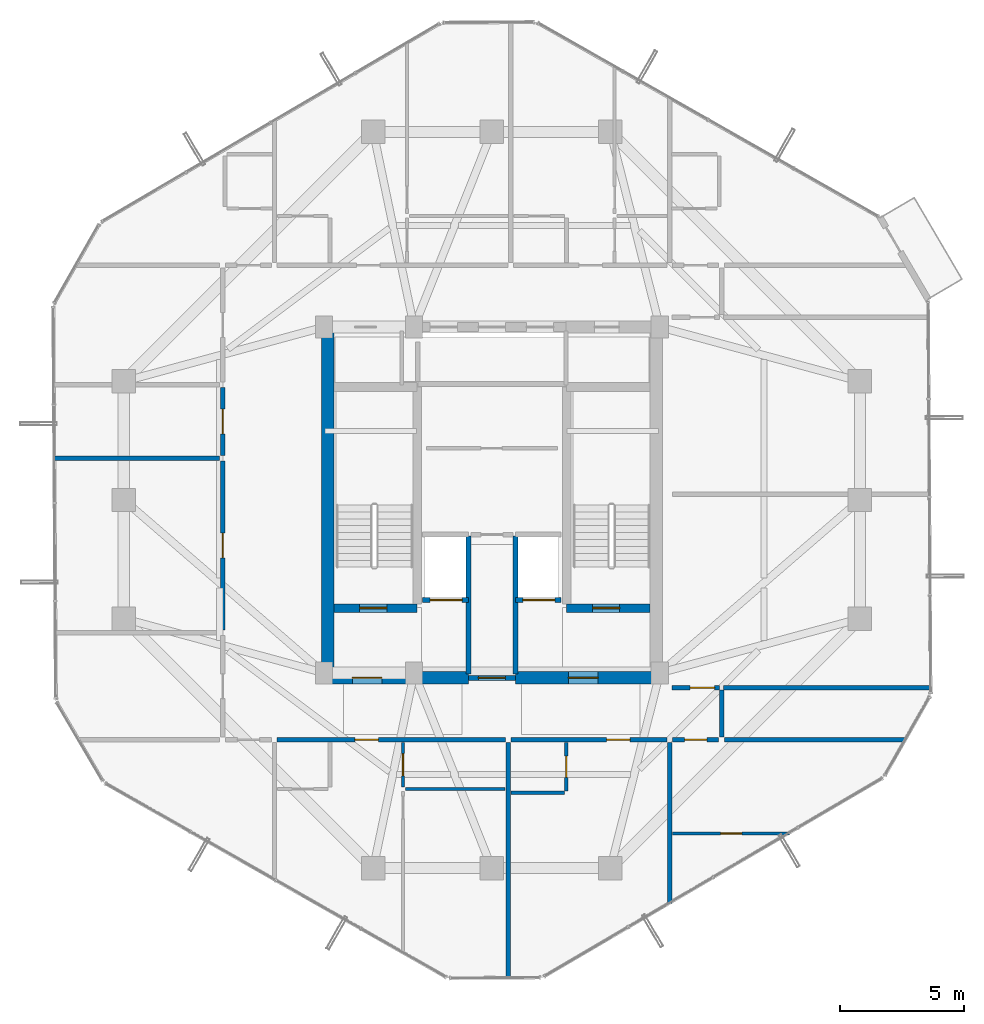
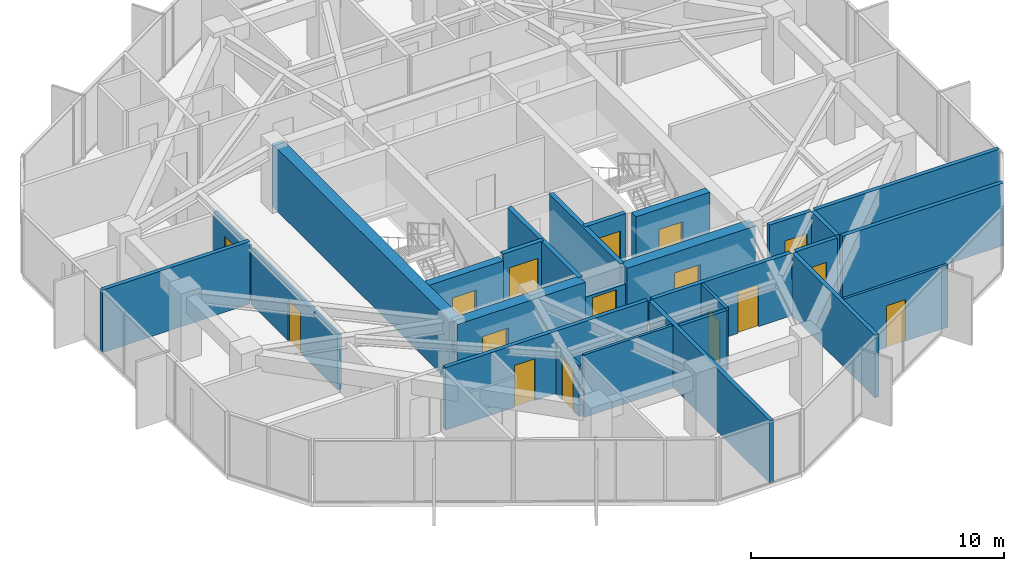
# One storey, part 27 of 31: 27 walls, 16 doors, 16 openings.
"""IFC4 building model written with IfcOpenShell, lengths in metres."""

from ifc_helpers import new_model, si_unit, direction, frame, frame_2d, origin, place, context, subcontext, project, spatial, rectangle, extrude, source, transform, mapped, material, layer, layer_set, type_object, element, fill, save


model = new_model("IFC4")

# Units and contexts
model_context = context("Model", 3, precision=1e-05, world=origin(), true_north=direction((0.0, 1.0)))
body_context = subcontext(model_context, "Body", "Model", "MODEL_VIEW")
ifc_project = project(units=[si_unit("LENGTHUNIT", "METRE"), si_unit("AREAUNIT", "SQUARE_METRE"), si_unit("VOLUMEUNIT", "CUBIC_METRE"), si_unit("PLANEANGLEUNIT", "RADIAN"), si_unit("MASSUNIT", "GRAM", prefix="KILO")], contexts=[model_context])

# Site, building, storey
site_placement = place(None, origin())
site = spatial("IfcSite", under=ifc_project, at=site_placement, CompositionType="ELEMENT")
building_placement = place(site_placement, origin())
building = spatial("IfcBuilding", under=site, at=building_placement, Name="Veraguas Prism Commons", CompositionType="ELEMENT")
storey_placement = place(building_placement, frame((0.0, 0.0, 204.85009765625)))
storey = spatial("IfcBuildingStorey", under=building, at=storey_placement, Name="L58", CompositionType="ELEMENT", Elevation=204.85009765625)

# Wall, opening, door
ifc_material_1 = material(Name="Concrete C50/60", Category="concrete")
ifc_layer_1 = layer(ifc_material_1, 0.35009765625, Name="Core Internal Shear Wall Upper RC 350", Category="concrete")
ifc_layer_set_1 = layer_set([ifc_layer_1], Name="Concrete C50/60")
wall_type_1 = type_object("IfcWallType", Name="Core Internal Shear Wall Upper RC 350", PredefinedType="SHEAR", material=ifc_layer_set_1)
wall_1_placement = place(storey_placement, frame((17.60009765625, 19.625, 0.0), z_axis=(0.0, 0.0, 1.0), x_axis=(1.0, 0.0, 0.0)))
wall_1 = element("IfcWall", 1, at=wall_1_placement, inside=storey, type_object=wall_type_1, Name="Stair ST-01 South Shear Wall L58", PredefinedType="SHEAR", context=body_context, shape_type="SweptSolid", body=[
    extrude(rectangle(XDim=3.375, YDim=0.35009765625, at=frame_2d((1.6875, 0.0))), origin(), (0.0, 0.0, 1.0), 3.014892578125),
])
opening_1_placement = place(wall_1_placement, frame((1.050048828125, 0.0, 0.0)))
opening_1 = element("IfcOpeningElement", 2, at=opening_1_placement, cuts=wall_1, Name="Opening DR-05", PredefinedType="OPENING", context=body_context, shape_type="SweptSolid", body=[
    extrude(rectangle(XDim=1.10009765625, YDim=2.030029296875, at=frame_2d((0.550048828125, 1.01513671875))), frame((0.0, 0.18505859375, 0.0), z_axis=(0.0, -1.0, 0.0), x_axis=(1.0, 0.0, 0.0)), (0.0, 0.0, 1.0), 0.3701171875),
])
ifc_material_2 = material(Name="Steel fire-rated door assembly", Category="steel")
door_type_1 = type_object("IfcDoorType", Name="Protected Stair and Refuge Fire Door 1100x2030", OperationType="NOTDEFINED", PredefinedType="DOOR", material=ifc_material_2)
shared_shape_1 = source(origin(), body_context, "Body", "SweptSolid", [
    extrude(rectangle(XDim=1.10009765625, YDim=2.030029296875, at=frame_2d((0.550048828125, 1.01513671875))), frame((0.0, 0.02490234375, 0.0), z_axis=(0.0, -1.0, 0.0), x_axis=(1.0, 0.0, 0.0)), (0.0, 0.0, 1.0), 0.050048828125),
])
door_1_placement = place(opening_1_placement, origin())
door_1 = element("IfcDoor", 3, at=door_1_placement, inside=storey, type_object=door_type_1, Name="Stair ST-01 Enclosure Door L58", OperationType="SINGLE_SWING_RIGHT", OverallHeight=2.030029296875, OverallWidth=1.10009765625, PredefinedType="DOOR", context=body_context, shape_type="MappedRepresentation", body=[
    mapped(shared_shape_1, transform((0.0, 0.0, 0.0), scale=1.0)),
])
fill(opening_1, door_1)

wall_2_placement = place(storey_placement, frame((27.02490234375, 19.625, 0.0), z_axis=(0.0, 0.0, 1.0), x_axis=(1.0, 0.0, 0.0)))
wall_2 = element("IfcWall", 4, at=wall_2_placement, inside=storey, type_object=wall_type_1, Name="Stair ST-02 South Shear Wall L58", PredefinedType="SHEAR", context=body_context, shape_type="SweptSolid", body=[
    extrude(rectangle(XDim=3.375, YDim=0.35009765625, at=frame_2d((1.6875, 0.0))), origin(), (0.0, 0.0, 1.0), 3.014892578125),
])
opening_2_placement = place(wall_2_placement, frame((1.050048828125, 0.0, 0.0)))
opening_2 = element("IfcOpeningElement", 5, at=opening_2_placement, cuts=wall_2, Name="Opening DR-05", PredefinedType="OPENING", context=body_context, shape_type="SweptSolid", body=[
    extrude(rectangle(XDim=1.10009765625, YDim=2.030029296875, at=frame_2d((0.550048828125, 1.01513671875))), frame((0.0, 0.18505859375, 0.0), z_axis=(0.0, -1.0, 0.0), x_axis=(1.0, 0.0, 0.0)), (0.0, 0.0, 1.0), 0.3701171875),
])
door_2_placement = place(opening_2_placement, origin())
door_2 = element("IfcDoor", 6, at=door_2_placement, inside=storey, type_object=door_type_1, Name="Stair ST-02 Enclosure Door L58", OperationType="SINGLE_SWING_LEFT", OverallHeight=2.030029296875, OverallWidth=1.10009765625, PredefinedType="DOOR", context=body_context, shape_type="MappedRepresentation", body=[
    mapped(shared_shape_1, transform((0.0, 0.0, 0.0), scale=1.0)),
])
fill(opening_2, door_2)

# Wall
ifc_layer_2 = layer(ifc_material_1, 0.5, Name="Core Outer Shear Wall Upper RC 500", Category="concrete")
ifc_layer_set_2 = layer_set([ifc_layer_2], Name="Concrete C50/60")
wall_type_2 = type_object("IfcWallType", Name="Core Outer Shear Wall Upper RC 500", PredefinedType="SHEAR", material=ifc_layer_set_2)
wall_3_placement = place(storey_placement, frame((17.35009765625, 16.800048828125, 0.0), z_axis=(0.0, 0.0, 1.0), x_axis=(0.0, 1.0, 0.0)))
element("IfcWall", 7, at=wall_3_placement, inside=storey, type_object=wall_type_2, Name="Central Core West Shear Wall L58", PredefinedType="SHEAR", context=body_context, shape_type="SweptSolid", body=[
    extrude(rectangle(XDim=14.199951171875, YDim=0.5, at=frame_2d((7.10009765625, 0.0))), origin(), (0.0, 0.0, 1.0), 3.014892578125),
])

# Wall, opening, door
wall_4_placement = place(storey_placement, frame((17.199951171875, 16.800048828125, 0.0), z_axis=(0.0, 0.0, 1.0), x_axis=(1.0, 0.0, 0.0)))
wall_4 = element("IfcWall", 8, at=wall_4_placement, inside=storey, type_object=wall_type_2, Name="Central Core South-West Shear Wall L58", PredefinedType="SHEAR", context=body_context, shape_type="SweptSolid", body=[
    extrude(rectangle(XDim=5.85009765625, YDim=0.5, at=frame_2d((2.925048828125, 0.0))), origin(), (0.0, 0.0, 1.0), 3.014892578125),
])
opening_3_placement = place(wall_4_placement, frame((1.14990234375, 0.0, 0.0)))
opening_3 = element("IfcOpeningElement", 9, at=opening_3_placement, cuts=wall_4, Name="Opening DR-06", PredefinedType="OPENING", context=body_context, shape_type="SweptSolid", body=[
    extrude(rectangle(XDim=1.199951171875, YDim=2.030029296875, at=frame_2d((0.60009765625, 1.01513671875))), frame((0.0, 0.260009765625, 0.0), z_axis=(0.0, -1.0, 0.0), x_axis=(1.0, 0.0, 0.0)), (0.0, 0.0, 1.0), 0.52001953125),
])
door_type_2 = type_object("IfcDoorType", Name="Firefighting Lobby Smoke Door 1200x2030", OperationType="NOTDEFINED", PredefinedType="DOOR", material=ifc_material_2)
shared_shape_2 = source(origin(), body_context, "Body", "SweptSolid", [
    extrude(rectangle(XDim=1.199951171875, YDim=2.030029296875, at=frame_2d((0.60009765625, 1.01513671875))), frame((0.0, 0.02490234375, 0.0), z_axis=(0.0, -1.0, 0.0), x_axis=(1.0, 0.0, 0.0)), (0.0, 0.0, 1.0), 0.050048828125),
])
door_3_placement = place(opening_3_placement, origin())
door_3 = element("IfcDoor", 10, at=door_3_placement, inside=storey, type_object=door_type_2, Name="West FF Lobby Door L58", OperationType="SINGLE_SWING_LEFT", OverallHeight=2.030029296875, OverallWidth=1.199951171875, PredefinedType="DOOR", context=body_context, shape_type="MappedRepresentation", body=[
    mapped(shared_shape_2, transform((0.0, 0.0, 0.0), scale=1.0)),
])
fill(opening_3, door_3)

wall_5_placement = place(storey_placement, frame((24.949951171875, 16.800048828125, 0.0), z_axis=(0.0, 0.0, 1.0), x_axis=(1.0, 0.0, 0.0)))
wall_5 = element("IfcWall", 11, at=wall_5_placement, inside=storey, type_object=wall_type_2, Name="Central Core South-East Shear Wall L58", PredefinedType="SHEAR", context=body_context, shape_type="SweptSolid", body=[
    extrude(rectangle(XDim=5.85009765625, YDim=0.5, at=frame_2d((2.925048828125, 0.0))), origin(), (0.0, 0.0, 1.0), 3.014892578125),
])
opening_4_placement = place(wall_5_placement, frame((2.14990234375, 0.0, 0.0)))
opening_4 = element("IfcOpeningElement", 12, at=opening_4_placement, cuts=wall_5, Name="Opening DR-06", PredefinedType="OPENING", context=body_context, shape_type="SweptSolid", body=[
    extrude(rectangle(XDim=1.199951171875, YDim=2.030029296875, at=frame_2d((0.60009765625, 1.01513671875))), frame((0.0, 0.260009765625, 0.0), z_axis=(0.0, -1.0, 0.0), x_axis=(1.0, 0.0, 0.0)), (0.0, 0.0, 1.0), 0.52001953125),
])
door_4_placement = place(opening_4_placement, origin())
door_4 = element("IfcDoor", 13, at=door_4_placement, inside=storey, type_object=door_type_2, Name="East FF Lobby Door L58", OperationType="SINGLE_SWING_LEFT", OverallHeight=2.030029296875, OverallWidth=1.199951171875, PredefinedType="DOOR", context=body_context, shape_type="MappedRepresentation", body=[
    mapped(shared_shape_2, transform((0.0, 0.0, 0.0), scale=1.0)),
])
fill(opening_4, door_4)

# Wall
ifc_material_3 = material(Name="Autoclaved aerated masonry block 10 MPa", Category="masonry")
ifc_layer_3 = layer(ifc_material_3, 0.179931640625, Name="Corridor and Inter-Tenancy Partition 180", Category="masonry")
ifc_layer_set_3 = layer_set([ifc_layer_3], Name="Autoclaved aerated masonry block 10 MPa")
wall_type_3 = type_object("IfcWallType", Name="Corridor and Inter-Tenancy Partition 180", PredefinedType="PARTITIONING", material=ifc_layer_set_3)
wall_6_placement = place(storey_placement, frame((31.199951171875, 14.179931640625, 0.0), z_axis=(0.0, 0.0, 1.0), x_axis=(0.0, -1.0, 0.0)))
element("IfcWall", 14, at=wall_6_placement, inside=storey, type_object=wall_type_3, Name="WL-L58-PT002", PredefinedType="PARTITIONING", context=body_context, shape_type="SweptSolid", body=[
    extrude(rectangle(XDim=6.52294921875, YDim=0.179931640625, at=frame_2d((3.261474609375, 0.0))), origin(), (0.0, 0.0, 1.0), 3.014892578125),
])

# Wall, opening, door
wall_7_placement = place(storey_placement, frame((15.31005859375, 14.300048828125, 0.0), z_axis=(0.0, 0.0, 1.0), x_axis=(1.0, 0.0, 0.0)))
wall_7 = element("IfcWall", 15, at=wall_7_placement, inside=storey, type_object=wall_type_3, Name="WL-L58-PT003", PredefinedType="PARTITIONING", context=body_context, shape_type="SweptSolid", body=[
    extrude(rectangle(XDim=9.239990234375, YDim=0.179931640625, at=frame_2d((4.6201171875, 0.0))), origin(), (0.0, 0.0, 1.0), 3.014892578125),
])
opening_5_placement = place(wall_7_placement, frame((3.1416015625, 0.0, 0.0)))
opening_5 = element("IfcOpeningElement", 16, at=opening_5_placement, cuts=wall_7, Name="Opening DR-01", PredefinedType="OPENING", context=body_context, shape_type="SweptSolid", body=[
    extrude(rectangle(XDim=0.949951171875, YDim=2.02001953125, at=frame_2d((0.47509765625, 1.010009765625))), frame((0.0, 0.099853515625, 0.0), z_axis=(0.0, -1.0, 0.0), x_axis=(1.0, 0.0, 0.0)), (0.0, 0.0, 1.0), 0.199951171875),
])
ifc_material_4 = material(Name="Anodised aluminium EN AW-6063 T6", Category="aluminium")
door_type_3 = type_object("IfcDoorType", Name="Apartment Entrance Fire Door 950x2020", OperationType="NOTDEFINED", PredefinedType="DOOR", material=ifc_material_4)
shared_shape_3 = source(origin(), body_context, "Body", "SweptSolid", [
    extrude(rectangle(XDim=0.949951171875, YDim=2.02001953125, at=frame_2d((0.47509765625, 1.010009765625))), frame((0.0, 0.02490234375, 0.0), z_axis=(0.0, -1.0, 0.0), x_axis=(1.0, 0.0, 0.0)), (0.0, 0.0, 1.0), 0.050048828125),
])
door_5_placement = place(opening_5_placement, origin())
door_5 = element("IfcDoor", 17, at=door_5_placement, inside=storey, type_object=door_type_3, Name="Flat 58A Entrance Door", OperationType="SINGLE_SWING_RIGHT", OverallHeight=2.02001953125, OverallWidth=0.949951171875, PredefinedType="DOOR", context=body_context, shape_type="MappedRepresentation", body=[
    mapped(shared_shape_3, transform((0.0, 0.0, 0.0), scale=1.0)),
])
fill(opening_5, door_5)

# Wall
wall_8_placement = place(storey_placement, frame((24.659912109375, 14.179931640625, 0.0), z_axis=(0.0, 0.0, 1.0), x_axis=(0.0, -1.0, 0.0)))
element("IfcWall", 18, at=wall_8_placement, inside=storey, type_object=wall_type_3, Name="WL-L58-PT009", PredefinedType="PARTITIONING", context=body_context, shape_type="SweptSolid", body=[
    extrude(rectangle(XDim=9.549072265625, YDim=0.179931640625, at=frame_2d((4.7744140625, 0.0))), origin(), (0.0, 0.0, 1.0), 3.014892578125),
])

# Wall, opening, door
wall_9_placement = place(storey_placement, frame((24.77001953125, 14.300048828125, 0.0), z_axis=(0.0, 0.0, 1.0), x_axis=(1.0, 0.0, 0.0)))
wall_9 = element("IfcWall", 19, at=wall_9_placement, inside=storey, type_object=wall_type_3, Name="WL-L58-PT010", PredefinedType="PARTITIONING", context=body_context, shape_type="SweptSolid", body=[
    extrude(rectangle(XDim=6.320068359375, YDim=0.179931640625, at=frame_2d((3.16015625, 0.0))), origin(), (0.0, 0.0, 1.0), 3.014892578125),
])
opening_6_placement = place(wall_9_placement, frame((3.877685546875, 0.0, 0.0)))
opening_6 = element("IfcOpeningElement", 20, at=opening_6_placement, cuts=wall_9, Name="Opening DR-01", PredefinedType="OPENING", context=body_context, shape_type="SweptSolid", body=[
    extrude(rectangle(XDim=0.949951171875, YDim=2.02001953125, at=frame_2d((0.47509765625, 1.010009765625))), frame((0.0, 0.099853515625, 0.0), z_axis=(0.0, -1.0, 0.0), x_axis=(1.0, 0.0, 0.0)), (0.0, 0.0, 1.0), 0.199951171875),
])
door_6_placement = place(opening_6_placement, origin())
door_6 = element("IfcDoor", 21, at=door_6_placement, inside=storey, type_object=door_type_3, Name="Studio 58B Entrance Door", OperationType="SINGLE_SWING_RIGHT", OverallHeight=2.02001953125, OverallWidth=0.949951171875, PredefinedType="DOOR", context=body_context, shape_type="MappedRepresentation", body=[
    mapped(shared_shape_3, transform((0.0, 0.0, 0.0), scale=1.0)),
])
fill(opening_6, door_6)

wall_10_placement = place(storey_placement, frame((13.10009765625, 18.739990234375, 0.0), z_axis=(0.0, 0.0, 1.0), x_axis=(0.0, 1.0, 0.0)))
wall_10 = element("IfcWall", 22, at=wall_10_placement, inside=storey, type_object=wall_type_3, Name="WL-L58-PT031", PredefinedType="PARTITIONING", context=body_context, shape_type="SweptSolid", body=[
    extrude(rectangle(XDim=6.843994140625, YDim=0.179931640625, at=frame_2d((3.421875, 0.0))), origin(), (0.0, 0.0, 1.0), 2.661865234375),
])
opening_7_placement = place(wall_10_placement, frame((2.922119140625, 0.0, 0.0)))
opening_7 = element("IfcOpeningElement", 23, at=opening_7_placement, cuts=wall_10, Name="Opening DR-13", PredefinedType="OPENING", context=body_context, shape_type="SweptSolid", body=[
    extrude(rectangle(XDim=1.0, YDim=2.010009765625, at=frame_2d((0.5, 1.0048828125))), frame((0.0, 0.099853515625, 0.0), z_axis=(0.0, -1.0, 0.0), x_axis=(1.0, 0.0, 0.0)), (0.0, 0.0, 1.0), 0.199951171875),
])
door_type_4 = type_object("IfcDoorType", Name="Core Accessible WC and Clinic Fire Door 1000x2010", OperationType="NOTDEFINED", PredefinedType="DOOR", material=ifc_material_2)
shared_shape_4 = source(origin(), body_context, "Body", "SweptSolid", [
    extrude(rectangle(XDim=1.0, YDim=2.010009765625, at=frame_2d((0.5, 1.0048828125))), frame((0.0, 0.02490234375, 0.0), z_axis=(0.0, -1.0, 0.0), x_axis=(1.0, 0.0, 0.0)), (0.0, 0.0, 1.0), 0.050048828125),
])
door_7_placement = place(opening_7_placement, origin())
door_7 = element("IfcDoor", 24, at=door_7_placement, inside=storey, type_object=door_type_4, Name="Co-op Store W Door", OperationType="SINGLE_SWING_LEFT", OverallHeight=2.010009765625, OverallWidth=1.0, PredefinedType="DOOR", context=body_context, shape_type="MappedRepresentation", body=[
    mapped(shared_shape_4, transform((0.0, 0.0, 0.0), scale=1.0)),
])
fill(opening_7, door_7)

# Wall
wall_11_placement = place(storey_placement, frame((12.97998046875, 25.694091796875, 0.0), z_axis=(0.0, 0.0, 1.0), x_axis=(-1.0, 0.0, 0.0)))
element("IfcWall", 25, at=wall_11_placement, inside=storey, type_object=wall_type_3, Name="WL-L58-PT033", PredefinedType="PARTITIONING", context=body_context, shape_type="SweptSolid", body=[
    extrude(rectangle(XDim=6.73193359375, YDim=0.179931640625, at=frame_2d((3.365966796875, 0.0))), origin(), (0.0, 0.0, 1.0), 3.014892578125),
])

# Wall, opening, door
wall_12_placement = place(storey_placement, frame((13.10009765625, 25.803955078125, 0.0), z_axis=(0.0, 0.0, 1.0), x_axis=(0.0, 1.0, 0.0)))
wall_12 = element("IfcWall", 26, at=wall_12_placement, inside=storey, type_object=wall_type_3, Name="WL-L58-PT034", PredefinedType="PARTITIONING", context=body_context, shape_type="SweptSolid", body=[
    extrude(rectangle(XDim=2.74609375, YDim=0.179931640625, at=frame_2d((1.373046875, 0.0))), origin(), (0.0, 0.0, 1.0), 2.661865234375),
])
opening_8_placement = place(wall_12_placement, frame((0.873046875, 0.0, 0.0)))
opening_8 = element("IfcOpeningElement", 27, at=opening_8_placement, cuts=wall_12, Name="Opening DR-13", PredefinedType="OPENING", context=body_context, shape_type="SweptSolid", body=[
    extrude(rectangle(XDim=1.0, YDim=2.010009765625, at=frame_2d((0.5, 1.0048828125))), frame((0.0, 0.099853515625, 0.0), z_axis=(0.0, -1.0, 0.0), x_axis=(1.0, 0.0, 0.0)), (0.0, 0.0, 1.0), 0.199951171875),
])
door_8_placement = place(opening_8_placement, origin())
door_8 = element("IfcDoor", 28, at=door_8_placement, inside=storey, type_object=door_type_4, Name="Shared Laundry Room Door", OperationType="SINGLE_SWING_RIGHT", OverallHeight=2.010009765625, OverallWidth=1.0, PredefinedType="DOOR", context=body_context, shape_type="MappedRepresentation", body=[
    mapped(shared_shape_4, transform((0.0, 0.0, 0.0), scale=1.0)),
])
fill(opening_8, door_8)

# Wall
wall_13_placement = place(storey_placement, frame((33.300048828125, 14.39990234375, 0.0), z_axis=(0.0, 0.0, 1.0), x_axis=(0.0, 1.0, 0.0)))
element("IfcWall", 29, at=wall_13_placement, inside=storey, type_object=wall_type_3, Name="WL-L58-PT038", PredefinedType="PARTITIONING", context=body_context, shape_type="SweptSolid", body=[
    extrude(rectangle(XDim=1.900146484375, YDim=0.179931640625, at=frame_2d((0.9501953125, 0.0))), origin(), (0.0, 0.0, 1.0), 3.014892578125),
])

# Wall, opening, door
wall_14_placement = place(storey_placement, frame((31.300048828125, 16.39990234375, 0.0), z_axis=(0.0, 0.0, 1.0), x_axis=(1.0, 0.0, 0.0)))
wall_14 = element("IfcWall", 30, at=wall_14_placement, inside=storey, type_object=wall_type_3, Name="WL-L58-PT040", PredefinedType="PARTITIONING", context=body_context, shape_type="SweptSolid", body=[
    extrude(rectangle(XDim=1.919921875, YDim=0.179931640625, at=frame_2d((0.9599609375, 0.0))), origin(), (0.0, 0.0, 1.0), 3.014892578125),
])
opening_9_placement = place(wall_14_placement, frame((0.719970703125, 0.0, 0.0)))
opening_9 = element("IfcOpeningElement", 31, at=opening_9_placement, cuts=wall_14, Name="Opening DR-13", PredefinedType="OPENING", context=body_context, shape_type="SweptSolid", body=[
    extrude(rectangle(XDim=1.0, YDim=2.010009765625, at=frame_2d((0.5, 1.0048828125))), frame((0.0, 0.099853515625, 0.0), z_axis=(0.0, -1.0, 0.0), x_axis=(1.0, 0.0, 0.0)), (0.0, 0.0, 1.0), 0.199951171875),
])
door_9_placement = place(opening_9_placement, origin())
door_9 = element("IfcDoor", 32, at=door_9_placement, inside=storey, type_object=door_type_4, Name="Panorama Lounge Door L58", OperationType="SINGLE_SWING_RIGHT", OverallHeight=2.010009765625, OverallWidth=1.0, PredefinedType="DOOR", context=body_context, shape_type="MappedRepresentation", body=[
    mapped(shared_shape_4, transform((0.0, 0.0, 0.0), scale=1.0)),
])
fill(opening_9, door_9)

# Walls
wall_15_placement = place(storey_placement, frame((33.3798828125, 16.39990234375, 0.0), z_axis=(0.0, 0.0, 1.0), x_axis=(1.0, 0.0, 0.0)))
element("IfcWall", 33, at=wall_15_placement, inside=storey, type_object=wall_type_3, Name="WL-L58-PT041", PredefinedType="PARTITIONING", context=body_context, shape_type="SweptSolid", body=[
    extrude(rectangle(XDim=8.4111328125, YDim=0.179931640625, at=frame_2d((4.20556640625, 0.0))), origin(), (0.0, 0.0, 1.0), 3.014892578125),
])
wall_16_placement = place(storey_placement, frame((33.419921875, 14.300048828125, 0.0), z_axis=(0.0, 0.0, 1.0), x_axis=(1.0, 0.0, 0.0)))
element("IfcWall", 34, at=wall_16_placement, inside=storey, type_object=wall_type_3, Name="WL-L58-PT045", PredefinedType="PARTITIONING", context=body_context, shape_type="SweptSolid", body=[
    extrude(rectangle(XDim=7.3505859375, YDim=0.179931640625, at=frame_2d((3.67529296875, 0.0))), origin(), (0.0, 0.0, 1.0), 3.014892578125),
])

# Wall, opening, door
wall_17_placement = place(storey_placement, frame((31.320068359375, 14.300048828125, 0.0), z_axis=(0.0, 0.0, 1.0), x_axis=(1.0, 0.0, 0.0)))
wall_17 = element("IfcWall", 35, at=wall_17_placement, inside=storey, type_object=wall_type_3, Name="WL-L58-PT046", PredefinedType="PARTITIONING", context=body_context, shape_type="SweptSolid", body=[
    extrude(rectangle(XDim=1.85986328125, YDim=0.179931640625, at=frame_2d((0.929931640625, 0.0))), origin(), (0.0, 0.0, 1.0), 3.014892578125),
])
opening_10_placement = place(wall_17_placement, frame((0.47998046875, 0.0, 0.0)))
opening_10 = element("IfcOpeningElement", 36, at=opening_10_placement, cuts=wall_17, Name="Opening DR-14", PredefinedType="OPENING", context=body_context, shape_type="SweptSolid", body=[
    extrude(rectangle(XDim=0.89990234375, YDim=2.010009765625, at=frame_2d((0.449951171875, 1.0048828125))), frame((0.0, 0.099853515625, 0.0), z_axis=(0.0, -1.0, 0.0), x_axis=(1.0, 0.0, 0.0)), (0.0, 0.0, 1.0), 0.199951171875),
])
door_type_5 = type_object("IfcDoorType", Name="Core Service Room Fire Door 900x2010", OperationType="NOTDEFINED", PredefinedType="DOOR", material=ifc_material_2)
shared_shape_5 = source(origin(), body_context, "Body", "SweptSolid", [
    extrude(rectangle(XDim=0.89990234375, YDim=2.010009765625, at=frame_2d((0.449951171875, 1.0048828125))), frame((0.0, 0.02490234375, 0.0), z_axis=(0.0, -1.0, 0.0), x_axis=(1.0, 0.0, 0.0)), (0.0, 0.0, 1.0), 0.050048828125),
])
door_10_placement = place(opening_10_placement, origin())
door_10 = element("IfcDoor", 37, at=door_10_placement, inside=storey, type_object=door_type_5, Name="Community Co-op Kitchen Door", OperationType="SINGLE_SWING_LEFT", OverallHeight=2.010009765625, OverallWidth=0.89990234375, PredefinedType="DOOR", context=body_context, shape_type="MappedRepresentation", body=[
    mapped(shared_shape_5, transform((0.0, 0.0, 0.0), scale=1.0)),
])
fill(opening_10, door_10)

ifc_material_5 = material(Name="Lightweight acoustic gypsum board")
ifc_layer_4 = layer(ifc_material_5, 0.125, Name="Internal Apartment Room Partition 125")
ifc_layer_set_4 = layer_set([ifc_layer_4], Name="Lightweight acoustic gypsum board")
wall_type_4 = type_object("IfcWallType", Name="Internal Apartment Room Partition 125", PredefinedType="PARTITIONING", material=ifc_layer_set_4)
wall_18_placement = place(storey_placement, frame((20.403076171875, 14.179931640625, 0.0), z_axis=(0.0, 0.0, 1.0), x_axis=(0.0, -1.0, 0.0)))
wall_18 = element("IfcWall", 38, at=wall_18_placement, inside=storey, type_object=wall_type_4, Name="WL-L58-PT006", PredefinedType="PARTITIONING", context=body_context, shape_type="SweptSolid", body=[
    extrude(rectangle(XDim=1.800048828125, YDim=0.125, at=frame_2d((0.89990234375, 0.0))), origin(), (0.0, 0.0, 1.0), 2.468994140625),
])
opening_11_placement = place(wall_18_placement, frame((0.449951171875, 0.0, 0.0)))
opening_11 = element("IfcOpeningElement", 39, at=opening_11_placement, cuts=wall_18, Name="Opening DR-02", PredefinedType="OPENING", context=body_context, shape_type="SweptSolid", body=[
    extrude(rectangle(XDim=0.89990234375, YDim=2.010009765625, at=frame_2d((0.449951171875, 1.0048828125))), frame((0.0, 0.072509765625, 0.0), z_axis=(0.0, -1.0, 0.0), x_axis=(1.0, 0.0, 0.0)), (0.0, 0.0, 1.0), 0.14501953125),
])
ifc_material_6 = material(Name="Timber solid core hardwood", Category="wood")
door_type_6 = type_object("IfcDoorType", Name="Internal Habitable Room Door 900x2010", OperationType="NOTDEFINED", PredefinedType="DOOR", material=ifc_material_6)
door_11_placement = place(opening_11_placement, origin())
door_11 = element("IfcDoor", 40, at=door_11_placement, inside=storey, type_object=door_type_6, Name="Flat 58A Kitchen Door", OperationType="SINGLE_SWING_RIGHT", OverallHeight=2.010009765625, OverallWidth=0.89990234375, PredefinedType="DOOR", context=body_context, shape_type="MappedRepresentation", body=[
    mapped(shared_shape_5, transform((0.0, 0.0, 0.0), scale=1.0)),
])
fill(opening_11, door_11)

# Wall
wall_19_placement = place(storey_placement, frame((20.5029296875, 12.300048828125, 0.0), z_axis=(0.0, 0.0, 1.0), x_axis=(1.0, 0.0, 0.0)))
element("IfcWall", 41, at=wall_19_placement, inside=storey, type_object=wall_type_4, Name="WL-L58-PT007", PredefinedType="PARTITIONING", context=body_context, shape_type="SweptSolid", body=[
    extrude(rectangle(XDim=4.037109375, YDim=0.125, at=frame_2d((2.0185546875, 0.0))), origin(), (0.0, 0.0, 1.0), 3.014892578125),
])

# Wall, opening, door
wall_20_placement = place(storey_placement, frame((27.010009765625, 14.179931640625, 0.0), z_axis=(0.0, 0.0, 1.0), x_axis=(0.0, -1.0, 0.0)))
wall_20 = element("IfcWall", 42, at=wall_20_placement, inside=storey, type_object=wall_type_4, Name="WL-L58-PT011", PredefinedType="PARTITIONING", context=body_context, shape_type="SweptSolid", body=[
    extrude(rectangle(XDim=1.949951171875, YDim=0.125, at=frame_2d((0.97509765625, 0.0))), origin(), (0.0, 0.0, 1.0), 3.014892578125),
])
opening_12_placement = place(wall_20_placement, frame((0.544921875, 0.0, 0.0)))
opening_12 = element("IfcOpeningElement", 43, at=opening_12_placement, cuts=wall_20, Name="Opening DR-03", PredefinedType="OPENING", context=body_context, shape_type="SweptSolid", body=[
    extrude(rectangle(XDim=0.860107421875, YDim=2.010009765625, at=frame_2d((0.43017578125, 1.0048828125))), frame((0.0, 0.072509765625, 0.0), z_axis=(0.0, -1.0, 0.0), x_axis=(1.0, 0.0, 0.0)), (0.0, 0.0, 1.0), 0.14501953125),
])
ifc_material_7 = material(Name="Timber moisture-resistant leaf", Category="wood")
door_type_7 = type_object("IfcDoorType", Name="Internal Bathroom Door 860x2010", OperationType="NOTDEFINED", PredefinedType="DOOR", material=ifc_material_7)
shared_shape_6 = source(origin(), body_context, "Body", "SweptSolid", [
    extrude(rectangle(XDim=0.860107421875, YDim=2.010009765625, at=frame_2d((0.43017578125, 1.0048828125))), frame((0.0, 0.02490234375, 0.0), z_axis=(0.0, -1.0, 0.0), x_axis=(1.0, 0.0, 0.0)), (0.0, 0.0, 1.0), 0.050048828125),
])
door_12_placement = place(opening_12_placement, origin())
door_12 = element("IfcDoor", 44, at=door_12_placement, inside=storey, type_object=door_type_7, Name="Studio 58B Bathroom Door", OperationType="SINGLE_SWING_LEFT", OverallHeight=2.010009765625, OverallWidth=0.860107421875, PredefinedType="DOOR", context=body_context, shape_type="MappedRepresentation", body=[
    mapped(shared_shape_6, transform((0.0, 0.0, 0.0), scale=1.0)),
])
fill(opening_12, door_12)

wall_21_placement = place(storey_placement, frame((31.320068359375, 10.5, 0.0), z_axis=(0.0, 0.0, 1.0), x_axis=(1.0, 0.0, 0.0)))
wall_21 = element("IfcWall", 45, at=wall_21_placement, inside=storey, type_object=wall_type_4, Name="WL-L58-PT047", PredefinedType="PARTITIONING", context=body_context, shape_type="SweptSolid", body=[
    extrude(rectangle(XDim=4.7294921875, YDim=0.125, at=frame_2d((2.36474609375, 0.0))), origin(), (0.0, 0.0, 1.0), 3.014892578125),
])
opening_13_placement = place(wall_21_placement, frame((1.934814453125, 0.0, 0.0)))
opening_13 = element("IfcOpeningElement", 46, at=opening_13_placement, cuts=wall_21, Name="Opening DR-03", PredefinedType="OPENING", context=body_context, shape_type="SweptSolid", body=[
    extrude(rectangle(XDim=0.860107421875, YDim=2.010009765625, at=frame_2d((0.43017578125, 1.0048828125))), frame((0.0, 0.072509765625, 0.0), z_axis=(0.0, -1.0, 0.0), x_axis=(1.0, 0.0, 0.0)), (0.0, 0.0, 1.0), 0.14501953125),
])
door_13_placement = place(opening_13_placement, origin())
door_13 = element("IfcDoor", 47, at=door_13_placement, inside=storey, type_object=door_type_7, Name="Corner Store SE Door", OperationType="SINGLE_SWING_RIGHT", OverallHeight=2.010009765625, OverallWidth=0.860107421875, PredefinedType="DOOR", context=body_context, shape_type="MappedRepresentation", body=[
    mapped(shared_shape_6, transform((0.0, 0.0, 0.0), scale=1.0)),
])
fill(opening_13, door_13)

ifc_layer_5 = layer(ifc_material_3, 0.199951171875, Name="Rated Shaft and Lobby Block Wall 200", Category="masonry")
ifc_layer_set_5 = layer_set([ifc_layer_5], Name="Autoclaved aerated masonry block 10 MPa")
wall_type_5 = type_object("IfcWallType", Name="Rated Shaft and Lobby Block Wall 200", PredefinedType="SOLIDWALL", material=ifc_layer_set_5)
wall_22_placement = place(storey_placement, frame((23.050048828125, 16.800048828125, 0.0), z_axis=(0.0, 0.0, 1.0), x_axis=(1.0, 0.0, 0.0)))
wall_22 = element("IfcWall", 48, at=wall_22_placement, inside=storey, type_object=wall_type_5, Name="Central Core Lobby Entrance Wall L58", PredefinedType="SOLIDWALL", context=body_context, shape_type="SweptSolid", body=[
    extrude(rectangle(XDim=1.89990234375, YDim=0.199951171875, at=frame_2d((0.949951171875, 0.0))), origin(), (0.0, 0.0, 1.0), 2.164794921875),
])
opening_14_placement = place(wall_22_placement, frame((0.39990234375, 0.0, 0.0)))
opening_14 = element("IfcOpeningElement", 49, at=opening_14_placement, cuts=wall_22, Name="Opening DR-05", PredefinedType="OPENING", context=body_context, shape_type="SweptSolid", body=[
    extrude(rectangle(XDim=1.10009765625, YDim=2.030029296875, at=frame_2d((0.550048828125, 1.01513671875))), frame((0.0, 0.10986328125, 0.0), z_axis=(0.0, -1.0, 0.0), x_axis=(1.0, 0.0, 0.0)), (0.0, 0.0, 1.0), 0.219970703125),
])
door_14_placement = place(opening_14_placement, origin())
door_14 = element("IfcDoor", 50, at=door_14_placement, inside=storey, type_object=door_type_1, Name="Central Lobby Door L58", OperationType="SINGLE_SWING_RIGHT", OverallHeight=2.030029296875, OverallWidth=1.10009765625, PredefinedType="DOOR", context=body_context, shape_type="MappedRepresentation", body=[
    mapped(shared_shape_1, transform((0.0, 0.0, 0.0), scale=1.0)),
])
fill(opening_14, door_14)

wall_23_placement = place(storey_placement, frame((21.199951171875, 19.949951171875, 0.0), z_axis=(0.0, 0.0, 1.0), x_axis=(1.0, 0.0, 0.0)))
wall_23 = element("IfcWall", 51, at=wall_23_placement, inside=storey, type_object=wall_type_5, Name="Firefighting Lift FFL-1 Front Wall L58", PredefinedType="SOLIDWALL", context=body_context, shape_type="SweptSolid", body=[
    extrude(rectangle(XDim=1.85009765625, YDim=0.199951171875, at=frame_2d((0.925048828125, 0.0))), origin(), (0.0, 0.0, 1.0), 3.014892578125),
])
opening_15_placement = place(wall_23_placement, frame((0.300048828125, 0.0, 0.0)))
opening_15 = element("IfcOpeningElement", 52, at=opening_15_placement, cuts=wall_23, Name="Opening LD-02", PredefinedType="OPENING", context=body_context, shape_type="SweptSolid", body=[
    extrude(rectangle(XDim=1.300048828125, YDim=2.25, at=frame_2d((0.64990234375, 1.125))), frame((0.0, 0.10986328125, 0.0), z_axis=(0.0, -1.0, 0.0), x_axis=(1.0, 0.0, 0.0)), (0.0, 0.0, 1.0), 0.219970703125),
])
ifc_material_8 = material(Name="Stainless steel AISI 316", Category="steel")
door_type_8 = type_object("IfcDoorType", Name="Firefighting Lift Sliding Landing Door 1300x2250", OperationType="NOTDEFINED", PredefinedType="DOOR", material=ifc_material_8)
shared_shape_7 = source(origin(), body_context, "Body", "SweptSolid", [
    extrude(rectangle(XDim=1.300048828125, YDim=2.25, at=frame_2d((0.64990234375, 1.125))), frame((0.0, 0.02490234375, 0.0), z_axis=(0.0, -1.0, 0.0), x_axis=(1.0, 0.0, 0.0)), (0.0, 0.0, 1.0), 0.050048828125),
])
door_15_placement = place(opening_15_placement, origin())
door_15 = element("IfcDoor", 53, at=door_15_placement, inside=storey, type_object=door_type_8, Name="Firefighting Lift FFL-1 Landing Door L58", OperationType="SLIDING_TO_LEFT", OverallHeight=2.25, OverallWidth=1.300048828125, PredefinedType="DOOR", context=body_context, shape_type="MappedRepresentation", body=[
    mapped(shared_shape_7, transform((0.0, 0.0, 0.0), scale=1.0)),
])
fill(opening_15, door_15)

wall_24_placement = place(storey_placement, frame((24.949951171875, 19.949951171875, 0.0), z_axis=(0.0, 0.0, 1.0), x_axis=(1.0, 0.0, 0.0)))
wall_24 = element("IfcWall", 54, at=wall_24_placement, inside=storey, type_object=wall_type_5, Name="Firefighting Lift FFL-2 Front Wall L58", PredefinedType="SOLIDWALL", context=body_context, shape_type="SweptSolid", body=[
    extrude(rectangle(XDim=1.85009765625, YDim=0.199951171875, at=frame_2d((0.925048828125, 0.0))), origin(), (0.0, 0.0, 1.0), 3.014892578125),
])
opening_16_placement = place(wall_24_placement, frame((0.300048828125, 0.0, 0.0)))
opening_16 = element("IfcOpeningElement", 55, at=opening_16_placement, cuts=wall_24, Name="Opening LD-02", PredefinedType="OPENING", context=body_context, shape_type="SweptSolid", body=[
    extrude(rectangle(XDim=1.300048828125, YDim=2.25, at=frame_2d((0.64990234375, 1.125))), frame((0.0, 0.10986328125, 0.0), z_axis=(0.0, -1.0, 0.0), x_axis=(1.0, 0.0, 0.0)), (0.0, 0.0, 1.0), 0.219970703125),
])
door_16_placement = place(opening_16_placement, origin())
door_16 = element("IfcDoor", 56, at=door_16_placement, inside=storey, type_object=door_type_8, Name="Firefighting Lift FFL-2 Front Wall L58", OperationType="SLIDING_TO_LEFT", OverallHeight=2.25, OverallWidth=1.300048828125, PredefinedType="DOOR", context=body_context, shape_type="MappedRepresentation", body=[
    mapped(shared_shape_7, transform((0.0, 0.0, 0.0), scale=1.0)),
])
fill(opening_16, door_16)

# Walls
for number, where, z_axis, x_axis, name in (
    (57, (23.050048828125, 16.949951171875, 0.0), (0.0, 0.0, 1.0), (0.0, 1.0, 0.0), "West FF Lobby Divider Wall L58"),
    (58, (24.949951171875, 16.949951171875, 0.0), (0.0, 0.0, 1.0), (0.0, 1.0, 0.0), "East FF Lobby Divider Wall L58"),
):
    element("IfcWall", number, at=place(storey_placement, frame(where, z_axis=z_axis, x_axis=x_axis)), inside=storey, type_object=wall_type_5, Name=name, PredefinedType="SOLIDWALL", context=body_context, shape_type="SweptSolid", body=[
        extrude(rectangle(XDim=5.60009765625, YDim=0.199951171875, at=frame_2d((2.800048828125, 0.0))), origin(), (0.0, 0.0, 1.0), 3.014892578125),
    ])
ifc_layer_6 = layer(ifc_material_5, 0.14990234375, Name="Wet Room and Clinic Acoustic Partition 150")
ifc_layer_set_6 = layer_set([ifc_layer_6], Name="Lightweight acoustic gypsum board")
wall_type_6 = type_object("IfcWallType", Name="Wet Room and Clinic Acoustic Partition 150", PredefinedType="PARTITIONING", material=ifc_layer_set_6)
wall_25_placement = place(storey_placement, frame((24.780029296875, 12.14990234375, 0.0), z_axis=(0.0, 0.0, 1.0), x_axis=(1.0, 0.0, 0.0)))
element("IfcWall", 59, at=wall_25_placement, inside=storey, type_object=wall_type_6, Name="WL-L58-PT012", PredefinedType="PARTITIONING", context=body_context, shape_type="SweptSolid", body=[
    extrude(rectangle(XDim=2.14990234375, YDim=0.14990234375, at=frame_2d((1.074951171875, 0.0))), origin(), (0.0, 0.0, 1.0), 3.014892578125),
])

save(model, "model.ifc")
